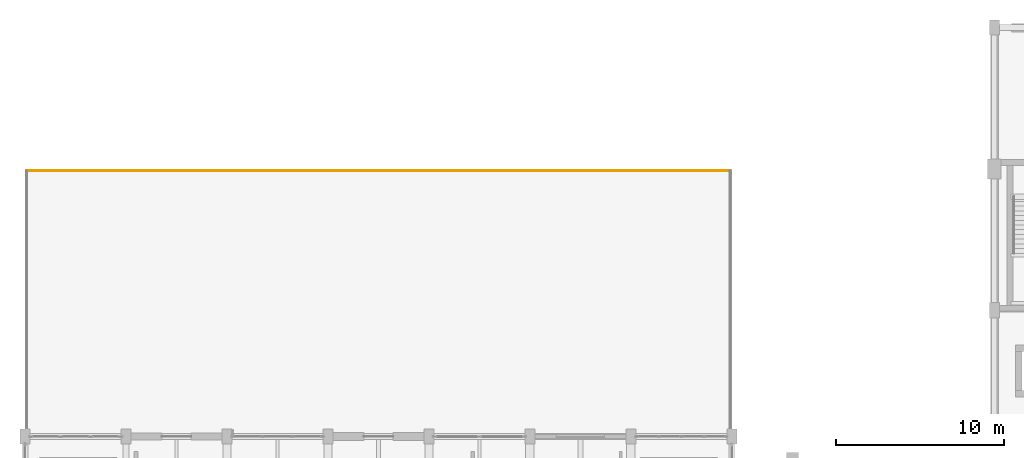
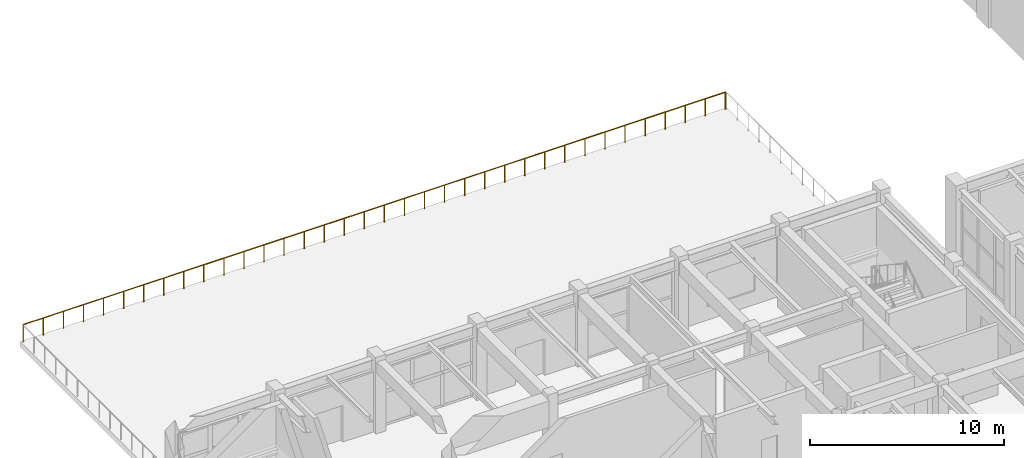
# One storey, part 76 of 80: 1 railing.
"""IFC4 building model written with IfcOpenShell, lengths in metres."""

from ifc_helpers import new_model, si_unit, direction, frame, origin, origin_2d, place, context, subcontext, project, spatial, circle, extrude, material, type_object, element, save


model = new_model("IFC4")

# Units and contexts
model_context = context("Model", 3, precision=1e-05, world=origin(), true_north=direction((0.0, 1.0)))
body_context = subcontext(model_context, "Body", "Model", "MODEL_VIEW")
ifc_project = project(units=[si_unit("LENGTHUNIT", "METRE"), si_unit("AREAUNIT", "SQUARE_METRE"), si_unit("VOLUMEUNIT", "CUBIC_METRE"), si_unit("PLANEANGLEUNIT", "RADIAN"), si_unit("MASSUNIT", "GRAM", prefix="KILO")], contexts=[model_context])

# Site, building, storey
site_placement = place(None, origin())
site = spatial("IfcSite", under=ifc_project, at=site_placement, CompositionType="ELEMENT")
building_placement = place(site_placement, origin())
building = spatial("IfcBuilding", under=site, at=building_placement, Name="Vaelkrest Opera House", CompositionType="ELEMENT")
storey_placement = place(building_placement, frame((0.0, 0.0, 15.0)))
storey = spatial("IfcBuildingStorey", under=building, at=storey_placement, Name="L03", CompositionType="ELEMENT", Elevation=15.0)

# Railing
ifc_material = material(Name="Dark bronze anodized aluminium", Category="aluminium")
railing_type = type_object("IfcRailingType", Name="GR01", PredefinedType="GUARDRAIL", material=ifc_material)
railing_placement = place(storey_placement, frame((-75.4599609375, 33.5, 0.0)))
element("IfcRailing", 1, at=railing_placement, inside=storey, type_object=railing_type, Name="L03 Rehearsal Roof Garden guardrail seg 2", PredefinedType="GUARDRAIL", context=body_context, shape_type="SweptSolid", body=[
    extrude(circle(Radius=0.02392578125, at=origin_2d()), frame((0.0, 0.0, 1.076171875), z_axis=(1.0, 0.0, 0.0), x_axis=(0.0, 1.0, 0.0)), (0.0, 0.0, 1.0), 41.719970703125),
    extrude(circle(Radius=0.02099609375, at=origin_2d()), origin(), (0.0, 0.0, 1.0), 1.052001953125),
    extrude(circle(Radius=0.02099609375, at=origin_2d()), frame((1.19189453125, 0.0, 0.0)), (0.0, 0.0, 1.0), 1.052001953125),
    extrude(circle(Radius=0.02099609375, at=origin_2d()), frame((2.384033203125, 0.0, 0.0)), (0.0, 0.0, 1.0), 1.052001953125),
    extrude(circle(Radius=0.02099609375, at=origin_2d()), frame((3.575927734375, 0.0, 0.0)), (0.0, 0.0, 1.0), 1.052001953125),
    extrude(circle(Radius=0.02099609375, at=origin_2d()), frame((4.76806640625, 0.0, 0.0)), (0.0, 0.0, 1.0), 1.052001953125),
    extrude(circle(Radius=0.02099609375, at=origin_2d()), frame((5.9599609375, 0.0, 0.0)), (0.0, 0.0, 1.0), 1.052001953125),
    extrude(circle(Radius=0.02099609375, at=origin_2d()), frame((7.152099609375, 0.0, 0.0)), (0.0, 0.0, 1.0), 1.052001953125),
    extrude(circle(Radius=0.02099609375, at=origin_2d()), frame((8.343994140625, 0.0, 0.0)), (0.0, 0.0, 1.0), 1.052001953125),
    extrude(circle(Radius=0.02099609375, at=origin_2d()), frame((9.535888671875, 0.0, 0.0)), (0.0, 0.0, 1.0), 1.052001953125),
    extrude(circle(Radius=0.02099609375, at=origin_2d()), frame((10.72802734375, 0.0, 0.0)), (0.0, 0.0, 1.0), 1.052001953125),
    extrude(circle(Radius=0.02099609375, at=origin_2d()), frame((11.919921875, 0.0, 0.0)), (0.0, 0.0, 1.0), 1.052001953125),
    extrude(circle(Radius=0.02099609375, at=origin_2d()), frame((13.112060546875, 0.0, 0.0)), (0.0, 0.0, 1.0), 1.052001953125),
    extrude(circle(Radius=0.02099609375, at=origin_2d()), frame((14.303955078125, 0.0, 0.0)), (0.0, 0.0, 1.0), 1.052001953125),
    extrude(circle(Radius=0.02099609375, at=origin_2d()), frame((15.49609375, 0.0, 0.0)), (0.0, 0.0, 1.0), 1.052001953125),
    extrude(circle(Radius=0.02099609375, at=origin_2d()), frame((16.68798828125, 0.0, 0.0)), (0.0, 0.0, 1.0), 1.052001953125),
    extrude(circle(Radius=0.02099609375, at=origin_2d()), frame((17.8798828125, 0.0, 0.0)), (0.0, 0.0, 1.0), 1.052001953125),
    extrude(circle(Radius=0.02099609375, at=origin_2d()), frame((19.072021484375, 0.0, 0.0)), (0.0, 0.0, 1.0), 1.052001953125),
    extrude(circle(Radius=0.02099609375, at=origin_2d()), frame((20.263916015625, 0.0, 0.0)), (0.0, 0.0, 1.0), 1.052001953125),
    extrude(circle(Radius=0.02099609375, at=origin_2d()), frame((21.4560546875, 0.0, 0.0)), (0.0, 0.0, 1.0), 1.052001953125),
    extrude(circle(Radius=0.02099609375, at=origin_2d()), frame((22.64794921875, 0.0, 0.0)), (0.0, 0.0, 1.0), 1.052001953125),
    extrude(circle(Radius=0.02099609375, at=origin_2d()), frame((23.840087890625, 0.0, 0.0)), (0.0, 0.0, 1.0), 1.052001953125),
    extrude(circle(Radius=0.02099609375, at=origin_2d()), frame((25.031982421875, 0.0, 0.0)), (0.0, 0.0, 1.0), 1.052001953125),
    extrude(circle(Radius=0.02099609375, at=origin_2d()), frame((26.223876953125, 0.0, 0.0)), (0.0, 0.0, 1.0), 1.052001953125),
    extrude(circle(Radius=0.02099609375, at=origin_2d()), frame((27.416015625, 0.0, 0.0)), (0.0, 0.0, 1.0), 1.052001953125),
    extrude(circle(Radius=0.02099609375, at=origin_2d()), frame((28.60791015625, 0.0, 0.0)), (0.0, 0.0, 1.0), 1.052001953125),
    extrude(circle(Radius=0.02099609375, at=origin_2d()), frame((29.800048828125, 0.0, 0.0)), (0.0, 0.0, 1.0), 1.052001953125),
    extrude(circle(Radius=0.02099609375, at=origin_2d()), frame((30.991943359375, 0.0, 0.0)), (0.0, 0.0, 1.0), 1.052001953125),
    extrude(circle(Radius=0.02099609375, at=origin_2d()), frame((32.18408203125, 0.0, 0.0)), (0.0, 0.0, 1.0), 1.052001953125),
    extrude(circle(Radius=0.02099609375, at=origin_2d()), frame((33.3759765625, 0.0, 0.0)), (0.0, 0.0, 1.0), 1.052001953125),
    extrude(circle(Radius=0.02099609375, at=origin_2d()), frame((34.56787109375, 0.0, 0.0)), (0.0, 0.0, 1.0), 1.052001953125),
    extrude(circle(Radius=0.02099609375, at=origin_2d()), frame((35.760009765625, 0.0, 0.0)), (0.0, 0.0, 1.0), 1.052001953125),
    extrude(circle(Radius=0.02099609375, at=origin_2d()), frame((36.951904296875, 0.0, 0.0)), (0.0, 0.0, 1.0), 1.052001953125),
    extrude(circle(Radius=0.02099609375, at=origin_2d()), frame((38.14404296875, 0.0, 0.0)), (0.0, 0.0, 1.0), 1.052001953125),
    extrude(circle(Radius=0.02099609375, at=origin_2d()), frame((39.3359375, 0.0, 0.0)), (0.0, 0.0, 1.0), 1.052001953125),
    extrude(circle(Radius=0.02099609375, at=origin_2d()), frame((40.528076171875, 0.0, 0.0)), (0.0, 0.0, 1.0), 1.052001953125),
    extrude(circle(Radius=0.02099609375, at=origin_2d()), frame((41.719970703125, 0.0, 0.0)), (0.0, 0.0, 1.0), 1.052001953125),
])

save(model, "model.ifc")
